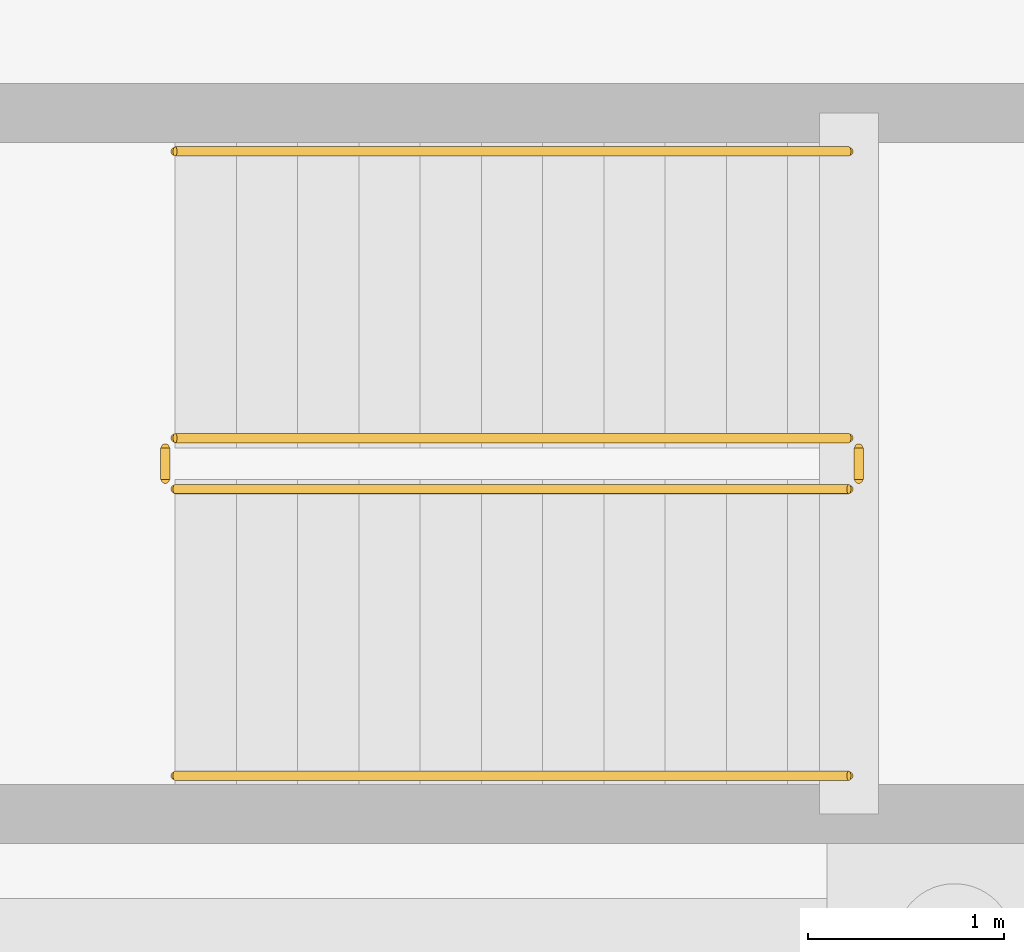
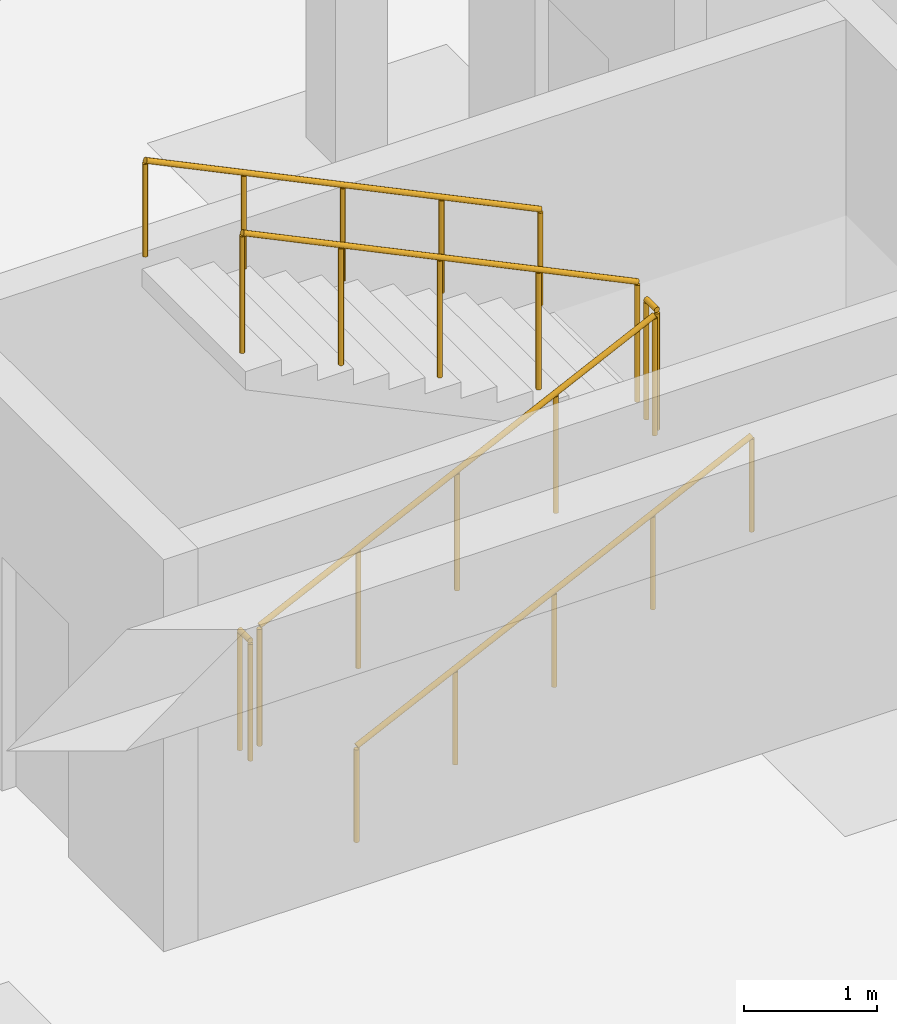
# One storey, part 26 of 32: 6 railings.
"""IFC4 building model written with IfcOpenShell, lengths in metres."""

import ifcopenshell
import ifcopenshell.guid

model = None  # the IFC model being written
_history = None  # IfcOwnerHistory: only IFC2X3 demands one
_inside = {}  # id of a spatial element -> (the spatial element, [elements in it])
_under = {}  # id of a project, library or spatial element -> (it, [spatial elements below it])
_declared = {}  # id of a project -> (the project, [libraries it declares])
_typed = {}  # id of a type object -> (the type object, [elements of that type])
_made_of = {}  # id of a material, layer set ... -> (it, [elements and type objects made of it])


def new_model(schema):
    """Start an empty IFC model of exactly this schema.

    Asked for "IFC4X3", IfcOpenShell would pick the latest addendum, in which some entities
    have other attributes; the version numbers below select the first issue.
    IFC2X3 requires an IfcOwnerHistory on every rooted entity: one is made here for all.
    """
    global model, _history
    if schema == "IFC4X3":
        model = ifcopenshell.file(schema_version=(4, 3, 0, 0))
    else:
        model = ifcopenshell.file(schema=schema)
    _inside.clear()
    _under.clear()
    _declared.clear()
    _typed.clear()
    _made_of.clear()
    _history = None
    if model.schema == "IFC2X3":
        org = make("IfcOrganization", Name="unknown")
        user = make(
            "IfcPersonAndOrganization",
            ThePerson=make("IfcPerson", FamilyName="unknown"),
            TheOrganization=org,
        )
        app = make(
            "IfcApplication",
            ApplicationDeveloper=org,
            Version="unknown",
            ApplicationFullName="unknown",
            ApplicationIdentifier="unknown",
        )
        _history = make(
            "IfcOwnerHistory",
            OwningUser=user,
            OwningApplication=app,
            ChangeAction="ADDED",
            CreationDate=0,
        )
    return model


def make(cls, **values):
    """One entity of the class cls with the attributes given. An attribute that is None is left unset."""
    return model.create_entity(
        cls, **{name: value for name, value in values.items() if value is not None}
    )


def rooted(cls, **values):
    """An entity with a GlobalId (a new one), such as an element, a storey or a relation."""
    return make(cls, GlobalId=ifcopenshell.guid.new(), OwnerHistory=_history, **values)


def si_unit(unit_type, name, prefix=None):
    """IfcSIUnit, for example si_unit("LENGTHUNIT", "METRE", prefix="MILLI")."""
    return make("IfcSIUnit", UnitType=unit_type, Prefix=prefix, Name=name)


def assignment(units):
    """IfcUnitAssignment: the units of a project."""
    return None if units is None else make("IfcUnitAssignment", Units=units)


def point(xyz):
    """IfcCartesianPoint."""
    return None if xyz is None else make("IfcCartesianPoint", Coordinates=xyz)


def direction(xyz):
    """IfcDirection."""
    return None if xyz is None else make("IfcDirection", DirectionRatios=xyz)


def frame(location, z_axis=None, x_axis=None):
    """IfcAxis2Placement3D, a coordinate frame: its origin and axes. An axis left out is left unset."""
    return make(
        "IfcAxis2Placement3D",
        Location=point(location),
        Axis=direction(z_axis),
        RefDirection=direction(x_axis),
    )


def frame_2d(location, x_axis=None):
    """IfcAxis2Placement2D, a coordinate frame in the plane: its origin and x axis."""
    return make(
        "IfcAxis2Placement2D", Location=point(location), RefDirection=direction(x_axis)
    )


def origin():
    """The frame at (0, 0, 0) with its axes left unset."""
    return frame((0.0, 0.0, 0.0))


def origin_2d():
    """The frame at (0, 0) in the plane with its x axis left unset."""
    return frame_2d((0.0, 0.0))


def place(relative_to, where):
    """IfcLocalPlacement: puts the frame where relative to a parent placement (None: the world)."""
    return make(
        "IfcLocalPlacement", PlacementRelTo=relative_to, RelativePlacement=where
    )


def context(
    kind, dimensions, precision=None, world=None, true_north=None, identifier=None
):
    """IfcGeometricRepresentationContext, for example the 3D "Model" context."""
    return make(
        "IfcGeometricRepresentationContext",
        ContextIdentifier=identifier,
        ContextType=kind,
        CoordinateSpaceDimension=dimensions,
        Precision=precision,
        WorldCoordinateSystem=world,
        TrueNorth=true_north,
    )


def subcontext(parent, identifier, kind, view, scale=None):
    """IfcGeometricRepresentationSubContext, for example "Body" below "Model"."""
    return make(
        "IfcGeometricRepresentationSubContext",
        ContextIdentifier=identifier,
        ContextType=kind,
        ParentContext=parent,
        TargetScale=scale,
        TargetView=view,
    )


def project(units=None, contexts=None):
    """IfcProject with its units and contexts."""
    return rooted(
        "IfcProject",
        Name="project",
        RepresentationContexts=contexts,
        UnitsInContext=assignment(units),
    )


def spatial(cls, under=None, at=None, **own):
    """A site, building, storey or space (cls), placed at a placement, below another one or the project."""
    s = rooted(cls, ObjectPlacement=at, **own)
    if under is not None:
        _under.setdefault(under.id(), (under, []))[1].append(s)
    return s


def profile(cls, at=None, kind="AREA", **sizes):
    """A parametric profile (cls). Its sizes go by their IFC names, for example OverallWidth=200.0."""
    return make(cls, ProfileType=kind, Position=at, **sizes)


def circle(**sizes):
    """IfcCircleProfileDef."""
    return profile("IfcCircleProfileDef", **sizes)


def extrude(swept, where, along, depth):
    """IfcExtrudedAreaSolid: the profile swept, set in the frame where, extruded along a direction by depth."""
    return make(
        "IfcExtrudedAreaSolid",
        SweptArea=swept,
        Position=where,
        ExtrudedDirection=direction(along),
        Depth=depth,
    )


def shape(context_of_items, identifier, shape_type, items):
    """IfcShapeRepresentation: the items that make up one representation, for example the "Body"."""
    return make(
        "IfcShapeRepresentation",
        ContextOfItems=context_of_items,
        RepresentationIdentifier=identifier,
        RepresentationType=shape_type,
        Items=items,
    )


def material(Name=None, Category=None):
    """IfcMaterial."""
    return make("IfcMaterial", Name=Name, Category=Category)


def made_of(thing, what):
    """Note that an element or type object is made of a material, layer set ...; save() writes the relation."""
    if what is not None:
        _made_of.setdefault(what.id(), (what, []))[1].append(thing)
    return thing


def type_object(cls, material=None, **own):
    """A type object (cls), such as IfcWallType, which elements share."""
    return made_of(rooted(cls, **own), material)


def element(
    cls,
    number,
    at=None,
    inside=None,
    cuts=None,
    type_object=None,
    material=None,
    context=None,
    identifier="Body",
    shape_type=None,
    held_by="IfcProductDefinitionShape",
    body=None,
    shapes=None,
    **own,
):
    """One element of the class cls, such as IfcWall. Its Tag is "e" and its number.

    at: its placement. inside: the storey or other place that contains it. cuts: it is an
    opening in that element (IfcRelVoidsElement). A single representation is given by context,
    identifier, shape_type and body (its items); several are given by shapes. held_by: the class
    of the entity that holds the representations. save() writes the other relations.
    """
    e = rooted(cls, Tag="e%d" % number, ObjectPlacement=at, **own)
    if body is not None:
        shapes = [shape(context, identifier, shape_type, body)]
    if shapes is not None:
        e.Representation = make(held_by, Representations=shapes)
    if inside is not None:
        _inside.setdefault(inside.id(), (inside, []))[1].append(e)
    if cuts is not None:
        rooted(
            "IfcRelVoidsElement", RelatingBuildingElement=cuts, RelatedOpeningElement=e
        )
    if type_object is not None:
        _typed.setdefault(type_object.id(), (type_object, []))[1].append(e)
    return made_of(e, material)


def aggregate(whole, parts):
    """IfcRelAggregates: a whole, such as a stair, and the parts it consists of."""
    return rooted("IfcRelAggregates", RelatingObject=whole, RelatedObjects=parts)


def save(model, path):
    """Write the relations noted so far, then the file.

    IfcRelAggregates (storeys below a building ...), IfcRelContainedInSpatialStructure (elements
    in a storey), IfcRelDefinesByType, IfcRelAssociatesMaterial and IfcRelDeclares: one each for
    every whole, place, type object, material and project.
    """
    for whole, parts in _under.values():
        aggregate(whole, parts)
    for where, things in _inside.values():
        rooted(
            "IfcRelContainedInSpatialStructure",
            RelatedElements=things,
            RelatingStructure=where,
        )
    for kind, things in _typed.values():
        rooted("IfcRelDefinesByType", RelatedObjects=things, RelatingType=kind)
    for what, things in _made_of.values():
        rooted("IfcRelAssociatesMaterial", RelatedObjects=things, RelatingMaterial=what)
    for by, libraries in _declared.values():
        rooted("IfcRelDeclares", RelatingContext=by, RelatedDefinitions=libraries)
    model.write(path)


model = new_model("IFC4")

# Units and contexts
model_context = context("Model", 3, precision=1e-05, world=origin(), true_north=direction((0.0, 1.0)))
body_context = subcontext(model_context, "Body", "Model", "MODEL_VIEW")
ifc_project = project(units=[si_unit("LENGTHUNIT", "METRE"), si_unit("AREAUNIT", "SQUARE_METRE"), si_unit("VOLUMEUNIT", "CUBIC_METRE"), si_unit("PLANEANGLEUNIT", "RADIAN"), si_unit("MASSUNIT", "GRAM", prefix="KILO")], contexts=[model_context])

# Site, building, storey
site_placement = place(None, origin())
site = spatial("IfcSite", under=ifc_project, at=site_placement, CompositionType="ELEMENT")
building_placement = place(site_placement, origin())
building = spatial("IfcBuilding", under=site, at=building_placement, Name="Zimvara Arc Housing Community", CompositionType="ELEMENT")
storey_placement = place(building_placement, frame((0.0, 0.0, -3.60009765625)))
storey = spatial("IfcBuildingStorey", under=building, at=storey_placement, Name="B1", CompositionType="ELEMENT", Elevation=-3.60009765625)

# Railings
ifc_material_1 = material(Name="Anodised Aluminium AW-6063", Category="aluminium")
railing_type_1 = type_object("IfcRailingType", Name="RLG-BAL-1120", PredefinedType="BALUSTRADE", material=ifc_material_1)
railing_1_placement = place(storey_placement, frame((116.3798828125, 14.909912109375, 0.150146484375)))
element("IfcRailing", 1, at=railing_1_placement, inside=storey, type_object=railing_type_1, Name="B1 ST-N1 stair guard 1", PredefinedType="BALUSTRADE", context=body_context, shape_type="SweptSolid", body=[
    extrude(circle(Radius=0.02392578125, at=origin_2d()), frame((0.0, 0.0, 1.09619140625), z_axis=(0.901268793401, 0.0, 0.433260385959), x_axis=(0.0, 1.0, 0.0)), (0.0, 0.0, 1.0), 3.80810546875),
    extrude(circle(Radius=0.02099609375, at=origin_2d()), origin(), (0.0, 0.0, 1.0), 1.072021484375),
    extrude(circle(Radius=0.02099609375, at=origin_2d()), frame((0.85791015625, 0.0, 0.41259765625)), (0.0, 0.0, 1.0), 1.072021484375),
    extrude(circle(Radius=0.02099609375, at=origin_2d()), frame((1.716064453125, 0.0, 0.824951171875)), (0.0, 0.0, 1.0), 1.072021484375),
    extrude(circle(Radius=0.02099609375, at=origin_2d()), frame((2.57421875, 0.0, 1.2373046875)), (0.0, 0.0, 1.0), 1.072021484375),
    extrude(circle(Radius=0.02099609375, at=origin_2d()), frame((3.43212890625, 0.0, 1.64990234375)), (0.0, 0.0, 1.0), 1.072021484375),
])
railing_2_placement = place(storey_placement, frame((119.862060546875, 14.9599609375, 1.800048828125)))
element("IfcRailing", 2, at=railing_2_placement, inside=storey, type_object=railing_type_1, Name="B1 ST-N1 stair guard 2", PredefinedType="BALUSTRADE", context=body_context, shape_type="SweptSolid", body=[
    extrude(circle(Radius=0.02392578125, at=origin_2d()), frame((0.0, 0.0, 1.09619140625), z_axis=(0.0, 1.0, 0.0), x_axis=(-1.0, 0.0, 0.0)), (0.0, 0.0, 1.0), 0.16015625),
    extrude(circle(Radius=0.02099609375, at=origin_2d()), origin(), (0.0, 0.0, 1.0), 1.072021484375),
    extrude(circle(Radius=0.02099609375, at=origin_2d()), frame((0.0, 0.16015625, 0.0)), (0.0, 0.0, 1.0), 1.072021484375),
])
railing_3_placement = place(storey_placement, frame((119.81201171875, 15.169921875, 1.9501953125)))
element("IfcRailing", 3, at=railing_3_placement, inside=storey, type_object=railing_type_1, Name="B1 ST-N1 stair guard 3", PredefinedType="BALUSTRADE", context=body_context, shape_type="SweptSolid", body=[
    extrude(circle(Radius=0.02392578125, at=origin_2d()), frame((0.0, 0.0, 1.09619140625), z_axis=(-0.901268793401, 0.0, 0.433260385959), x_axis=(0.0, -1.0, 0.0)), (0.0, 0.0, 1.0), 3.80810546875),
    extrude(circle(Radius=0.02099609375, at=origin_2d()), origin(), (0.0, 0.0, 1.0), 1.072021484375),
    extrude(circle(Radius=0.02099609375, at=origin_2d()), frame((-0.85791015625, 0.0, 0.41259765625)), (0.0, 0.0, 1.0), 1.072021484375),
    extrude(circle(Radius=0.02099609375, at=origin_2d()), frame((-1.716064453125, 0.0, 0.824951171875)), (0.0, 0.0, 1.0), 1.072021484375),
    extrude(circle(Radius=0.02099609375, at=origin_2d()), frame((-2.57421875, 0.0, 1.2373046875)), (0.0, 0.0, 1.0), 1.072021484375),
    extrude(circle(Radius=0.02099609375, at=origin_2d()), frame((-3.43212890625, 0.0, 1.64990234375)), (0.0, 0.0, 1.0), 1.072021484375),
])
railing_4_placement = place(storey_placement, frame((116.330078125, 14.9599609375, 0.0)))
element("IfcRailing", 4, at=railing_4_placement, inside=storey, type_object=railing_type_1, Name="B1 ST-N1 stair guard 4", PredefinedType="BALUSTRADE", context=body_context, shape_type="SweptSolid", body=[
    extrude(circle(Radius=0.02392578125, at=origin_2d()), frame((0.0, 0.0, 1.09619140625), z_axis=(0.0, 1.0, 0.0), x_axis=(-1.0, 0.0, 0.0)), (0.0, 0.0, 1.0), 0.16015625),
    extrude(circle(Radius=0.02099609375, at=origin_2d()), origin(), (0.0, 0.0, 1.0), 1.072021484375),
    extrude(circle(Radius=0.02099609375, at=origin_2d()), frame((0.0, 0.16015625, 0.0)), (0.0, 0.0, 1.0), 1.072021484375),
])
ifc_material_2 = material(Name="Anodised Aluminium AW-6063", Category="aluminium")
railing_type_2 = type_object("IfcRailingType", Name="RLG-HND-900", PredefinedType="HANDRAIL", material=ifc_material_2)
railing_5_placement = place(storey_placement, frame((116.3798828125, 13.449951171875, 0.150146484375)))
element("IfcRailing", 5, at=railing_5_placement, inside=storey, type_object=railing_type_2, Name="B1 ST-N1 stair handrail 1", PredefinedType="HANDRAIL", context=body_context, shape_type="SweptSolid", body=[
    extrude(circle(Radius=0.02392578125, at=origin_2d()), frame((0.0, 0.0, 0.8759765625), z_axis=(0.901268793401, 0.0, 0.433260385959), x_axis=(0.0, 1.0, 0.0)), (0.0, 0.0, 1.0), 3.80810546875),
    extrude(circle(Radius=0.02099609375, at=origin_2d()), origin(), (0.0, 0.0, 1.0), 0.851806640625),
    extrude(circle(Radius=0.02099609375, at=origin_2d()), frame((0.85791015625, 0.0, 0.41259765625)), (0.0, 0.0, 1.0), 0.851806640625),
    extrude(circle(Radius=0.02099609375, at=origin_2d()), frame((1.716064453125, 0.0, 0.824951171875)), (0.0, 0.0, 1.0), 0.851806640625),
    extrude(circle(Radius=0.02099609375, at=origin_2d()), frame((2.57421875, 0.0, 1.2373046875)), (0.0, 0.0, 1.0), 0.851806640625),
    extrude(circle(Radius=0.02099609375, at=origin_2d()), frame((3.43212890625, 0.0, 1.64990234375)), (0.0, 0.0, 1.0), 0.851806640625),
])
railing_6_placement = place(storey_placement, frame((119.81201171875, 16.6298828125, 1.9501953125)))
element("IfcRailing", 6, at=railing_6_placement, inside=storey, type_object=railing_type_2, Name="B1 ST-N1 stair handrail 2", PredefinedType="HANDRAIL", context=body_context, shape_type="SweptSolid", body=[
    extrude(circle(Radius=0.02392578125, at=origin_2d()), frame((0.0, 0.0, 0.8759765625), z_axis=(-0.901268793401, 0.0, 0.433260385959), x_axis=(0.0, -1.0, 0.0)), (0.0, 0.0, 1.0), 3.80810546875),
    extrude(circle(Radius=0.02099609375, at=origin_2d()), origin(), (0.0, 0.0, 1.0), 0.851806640625),
    extrude(circle(Radius=0.02099609375, at=origin_2d()), frame((-0.85791015625, 0.0, 0.41259765625)), (0.0, 0.0, 1.0), 0.851806640625),
    extrude(circle(Radius=0.02099609375, at=origin_2d()), frame((-1.716064453125, 0.0, 0.824951171875)), (0.0, 0.0, 1.0), 0.851806640625),
    extrude(circle(Radius=0.02099609375, at=origin_2d()), frame((-2.57421875, 0.0, 1.2373046875)), (0.0, 0.0, 1.0), 0.851806640625),
    extrude(circle(Radius=0.02099609375, at=origin_2d()), frame((-3.43212890625, 0.0, 1.64990234375)), (0.0, 0.0, 1.0), 0.851806640625),
])

save(model, "model.ifc")
